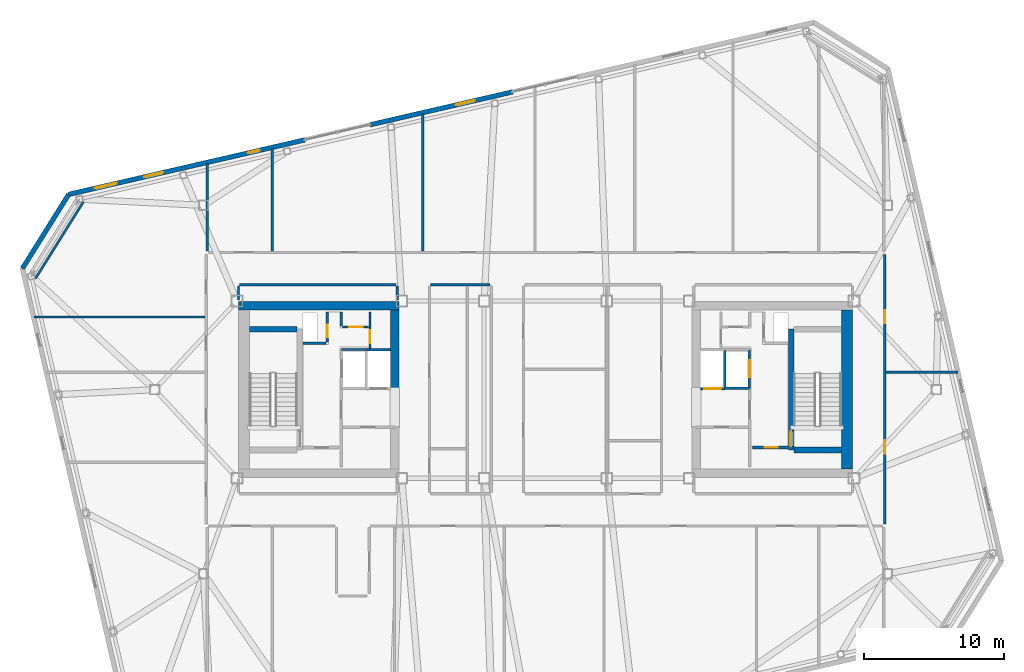
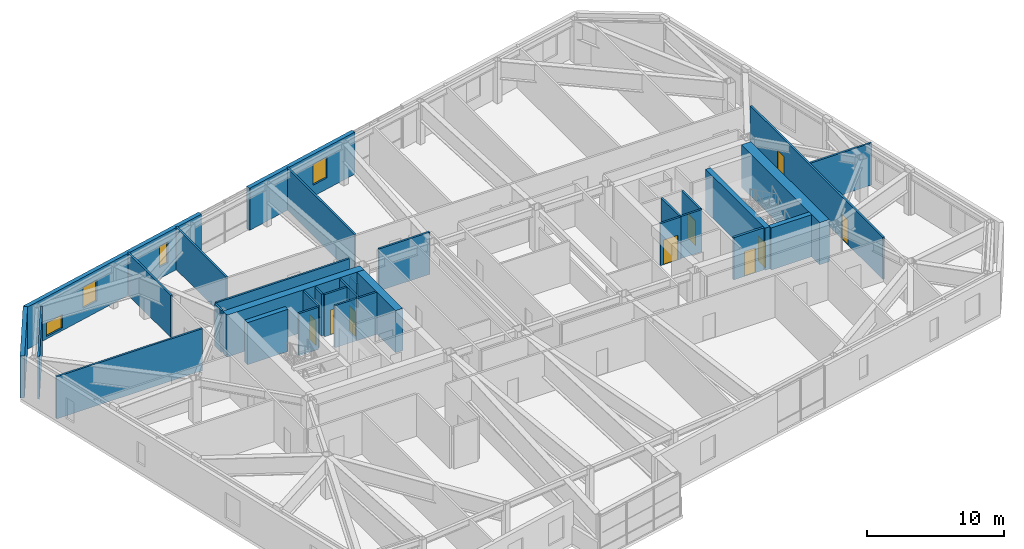
# One storey, part 18 of 23: 32 walls, 9 doors, 4 windows, 13 openings.
"""IFC4 building model written with IfcOpenShell, lengths in metres."""

import ifcopenshell
import ifcopenshell.guid

model = None  # the IFC model being written
_history = None  # IfcOwnerHistory: only IFC2X3 demands one
_inside = {}  # id of a spatial element -> (the spatial element, [elements in it])
_under = {}  # id of a project, library or spatial element -> (it, [spatial elements below it])
_declared = {}  # id of a project -> (the project, [libraries it declares])
_typed = {}  # id of a type object -> (the type object, [elements of that type])
_made_of = {}  # id of a material, layer set ... -> (it, [elements and type objects made of it])


def new_model(schema):
    """Start an empty IFC model of exactly this schema.

    Asked for "IFC4X3", IfcOpenShell would pick the latest addendum, in which some entities
    have other attributes; the version numbers below select the first issue.
    IFC2X3 requires an IfcOwnerHistory on every rooted entity: one is made here for all.
    """
    global model, _history
    if schema == "IFC4X3":
        model = ifcopenshell.file(schema_version=(4, 3, 0, 0))
    else:
        model = ifcopenshell.file(schema=schema)
    _inside.clear()
    _under.clear()
    _declared.clear()
    _typed.clear()
    _made_of.clear()
    _history = None
    if model.schema == "IFC2X3":
        org = make("IfcOrganization", Name="unknown")
        user = make(
            "IfcPersonAndOrganization",
            ThePerson=make("IfcPerson", FamilyName="unknown"),
            TheOrganization=org,
        )
        app = make(
            "IfcApplication",
            ApplicationDeveloper=org,
            Version="unknown",
            ApplicationFullName="unknown",
            ApplicationIdentifier="unknown",
        )
        _history = make(
            "IfcOwnerHistory",
            OwningUser=user,
            OwningApplication=app,
            ChangeAction="ADDED",
            CreationDate=0,
        )
    return model


def make(cls, **values):
    """One entity of the class cls with the attributes given. An attribute that is None is left unset."""
    return model.create_entity(
        cls, **{name: value for name, value in values.items() if value is not None}
    )


def rooted(cls, **values):
    """An entity with a GlobalId (a new one), such as an element, a storey or a relation."""
    return make(cls, GlobalId=ifcopenshell.guid.new(), OwnerHistory=_history, **values)


def si_unit(unit_type, name, prefix=None):
    """IfcSIUnit, for example si_unit("LENGTHUNIT", "METRE", prefix="MILLI")."""
    return make("IfcSIUnit", UnitType=unit_type, Prefix=prefix, Name=name)


def assignment(units):
    """IfcUnitAssignment: the units of a project."""
    return None if units is None else make("IfcUnitAssignment", Units=units)


def point(xyz):
    """IfcCartesianPoint."""
    return None if xyz is None else make("IfcCartesianPoint", Coordinates=xyz)


def direction(xyz):
    """IfcDirection."""
    return None if xyz is None else make("IfcDirection", DirectionRatios=xyz)


def frame(location, z_axis=None, x_axis=None):
    """IfcAxis2Placement3D, a coordinate frame: its origin and axes. An axis left out is left unset."""
    return make(
        "IfcAxis2Placement3D",
        Location=point(location),
        Axis=direction(z_axis),
        RefDirection=direction(x_axis),
    )


def frame_2d(location, x_axis=None):
    """IfcAxis2Placement2D, a coordinate frame in the plane: its origin and x axis."""
    return make(
        "IfcAxis2Placement2D", Location=point(location), RefDirection=direction(x_axis)
    )


def origin():
    """The frame at (0, 0, 0) with its axes left unset."""
    return frame((0.0, 0.0, 0.0))


def place(relative_to, where):
    """IfcLocalPlacement: puts the frame where relative to a parent placement (None: the world)."""
    return make(
        "IfcLocalPlacement", PlacementRelTo=relative_to, RelativePlacement=where
    )


def context(
    kind, dimensions, precision=None, world=None, true_north=None, identifier=None
):
    """IfcGeometricRepresentationContext, for example the 3D "Model" context."""
    return make(
        "IfcGeometricRepresentationContext",
        ContextIdentifier=identifier,
        ContextType=kind,
        CoordinateSpaceDimension=dimensions,
        Precision=precision,
        WorldCoordinateSystem=world,
        TrueNorth=true_north,
    )


def subcontext(parent, identifier, kind, view, scale=None):
    """IfcGeometricRepresentationSubContext, for example "Body" below "Model"."""
    return make(
        "IfcGeometricRepresentationSubContext",
        ContextIdentifier=identifier,
        ContextType=kind,
        ParentContext=parent,
        TargetScale=scale,
        TargetView=view,
    )


def project(units=None, contexts=None):
    """IfcProject with its units and contexts."""
    return rooted(
        "IfcProject",
        Name="project",
        RepresentationContexts=contexts,
        UnitsInContext=assignment(units),
    )


def spatial(cls, under=None, at=None, **own):
    """A site, building, storey or space (cls), placed at a placement, below another one or the project."""
    s = rooted(cls, ObjectPlacement=at, **own)
    if under is not None:
        _under.setdefault(under.id(), (under, []))[1].append(s)
    return s


def profile(cls, at=None, kind="AREA", **sizes):
    """A parametric profile (cls). Its sizes go by their IFC names, for example OverallWidth=200.0."""
    return make(cls, ProfileType=kind, Position=at, **sizes)


def rectangle(**sizes):
    """IfcRectangleProfileDef."""
    return profile("IfcRectangleProfileDef", **sizes)


def extrude(swept, where, along, depth):
    """IfcExtrudedAreaSolid: the profile swept, set in the frame where, extruded along a direction by depth."""
    return make(
        "IfcExtrudedAreaSolid",
        SweptArea=swept,
        Position=where,
        ExtrudedDirection=direction(along),
        Depth=depth,
    )


def shape(context_of_items, identifier, shape_type, items):
    """IfcShapeRepresentation: the items that make up one representation, for example the "Body"."""
    return make(
        "IfcShapeRepresentation",
        ContextOfItems=context_of_items,
        RepresentationIdentifier=identifier,
        RepresentationType=shape_type,
        Items=items,
    )


def material(Name=None, Category=None):
    """IfcMaterial."""
    return make("IfcMaterial", Name=Name, Category=Category)


def layer(
    of_material, thickness, ventilated=None, Name=None, Category=None, Priority=None
):
    """IfcMaterialLayer: one layer of a wall or slab, of a material (None: an air gap)."""
    return make(
        "IfcMaterialLayer",
        Material=of_material,
        LayerThickness=thickness,
        IsVentilated=ventilated,
        Name=Name,
        Category=Category,
        Priority=Priority,
    )


def layer_set(layers, Name=None):
    """IfcMaterialLayerSet."""
    return make("IfcMaterialLayerSet", MaterialLayers=layers, LayerSetName=Name)


def made_of(thing, what):
    """Note that an element or type object is made of a material, layer set ...; save() writes the relation."""
    if what is not None:
        _made_of.setdefault(what.id(), (what, []))[1].append(thing)
    return thing


def type_object(cls, material=None, **own):
    """A type object (cls), such as IfcWallType, which elements share."""
    return made_of(rooted(cls, **own), material)


def element(
    cls,
    number,
    at=None,
    inside=None,
    cuts=None,
    type_object=None,
    material=None,
    context=None,
    identifier="Body",
    shape_type=None,
    held_by="IfcProductDefinitionShape",
    body=None,
    shapes=None,
    **own,
):
    """One element of the class cls, such as IfcWall. Its Tag is "e" and its number.

    at: its placement. inside: the storey or other place that contains it. cuts: it is an
    opening in that element (IfcRelVoidsElement). A single representation is given by context,
    identifier, shape_type and body (its items); several are given by shapes. held_by: the class
    of the entity that holds the representations. save() writes the other relations.
    """
    e = rooted(cls, Tag="e%d" % number, ObjectPlacement=at, **own)
    if body is not None:
        shapes = [shape(context, identifier, shape_type, body)]
    if shapes is not None:
        e.Representation = make(held_by, Representations=shapes)
    if inside is not None:
        _inside.setdefault(inside.id(), (inside, []))[1].append(e)
    if cuts is not None:
        rooted(
            "IfcRelVoidsElement", RelatingBuildingElement=cuts, RelatedOpeningElement=e
        )
    if type_object is not None:
        _typed.setdefault(type_object.id(), (type_object, []))[1].append(e)
    return made_of(e, material)


def fill(opening, filler):
    """IfcRelFillsElement: the door or window that sits in an opening."""
    return rooted(
        "IfcRelFillsElement",
        RelatingOpeningElement=opening,
        RelatedBuildingElement=filler,
    )


def aggregate(whole, parts):
    """IfcRelAggregates: a whole, such as a stair, and the parts it consists of."""
    return rooted("IfcRelAggregates", RelatingObject=whole, RelatedObjects=parts)


def save(model, path):
    """Write the relations noted so far, then the file.

    IfcRelAggregates (storeys below a building ...), IfcRelContainedInSpatialStructure (elements
    in a storey), IfcRelDefinesByType, IfcRelAssociatesMaterial and IfcRelDeclares: one each for
    every whole, place, type object, material and project.
    """
    for whole, parts in _under.values():
        aggregate(whole, parts)
    for where, things in _inside.values():
        rooted(
            "IfcRelContainedInSpatialStructure",
            RelatedElements=things,
            RelatingStructure=where,
        )
    for kind, things in _typed.values():
        rooted("IfcRelDefinesByType", RelatedObjects=things, RelatingType=kind)
    for what, things in _made_of.values():
        rooted("IfcRelAssociatesMaterial", RelatedObjects=things, RelatingMaterial=what)
    for by, libraries in _declared.values():
        rooted("IfcRelDeclares", RelatingContext=by, RelatedDefinitions=libraries)
    model.write(path)


model = new_model("IFC4")

# Units and contexts
model_context = context("Model", 3, precision=1e-05, world=origin(), true_north=direction((0.0, 1.0)))
body_context = subcontext(model_context, "Body", "Model", "MODEL_VIEW")
ifc_project = project(units=[si_unit("LENGTHUNIT", "METRE"), si_unit("AREAUNIT", "SQUARE_METRE"), si_unit("VOLUMEUNIT", "CUBIC_METRE"), si_unit("PLANEANGLEUNIT", "RADIAN"), si_unit("MASSUNIT", "GRAM", prefix="KILO")], contexts=[model_context])

# Site, building, storey
site_placement = place(None, origin())
site = spatial("IfcSite", under=ifc_project, at=site_placement, CompositionType="ELEMENT")
building_placement = place(site_placement, origin())
building = spatial("IfcBuilding", under=site, at=building_placement, Name="Tavrogorsk Clinical Tower", CompositionType="ELEMENT")
storey_placement = place(building_placement, frame((0.0, 0.0, 277.0)))
storey = spatial("IfcBuildingStorey", under=building, at=storey_placement, Name="L64", CompositionType="ELEMENT", Elevation=277.0)

# Wall, opening, door
ifc_material_1 = material(Name="Concrete B60", Category="concrete")
ifc_layer_1 = layer(ifc_material_1, 0.199951171875)
ifc_layer_set_1 = layer_set([ifc_layer_1], Name="Concrete B60")
wall_type_1 = type_object("IfcWallType", Name="CoreFireWall_200", PredefinedType="SOLIDWALL", material=ifc_layer_set_1)
wall_1_placement = place(storey_placement, frame((14.824951171875, -4.139892578125, 0.0), z_axis=(0.0, 0.0, 1.0), x_axis=(1.0, 0.0, 0.0)))
wall_1 = element("IfcWall", 1, at=wall_1_placement, inside=storey, type_object=wall_type_1, Name="L64 Core East South Core Room Fire Wall", PredefinedType="SOLIDWALL", context=body_context, shape_type="SweptSolid", body=[
    extrude(rectangle(XDim=2.554931640625, YDim=0.199951171875, at=frame_2d((1.27734375, 0.0))), origin(), (0.0, 0.0, 1.0), 3.739990234375),
])
opening_1_placement = place(wall_1_placement, frame((0.8798828125, 0.0, 0.0)))
opening_1 = element("IfcOpeningElement", 2, at=opening_1_placement, cuts=wall_1, Name="Opening ID-02", PredefinedType="OPENING", context=body_context, shape_type="SweptSolid", body=[
    extrude(rectangle(XDim=0.949951171875, YDim=2.199951171875, at=frame_2d((0.47509765625, 1.10009765625))), frame((0.0, 0.10986328125, 0.0), z_axis=(0.0, -1.0, 0.0), x_axis=(1.0, 0.0, 0.0)), (0.0, 0.0, 1.0), 0.219970703125),
])
ifc_material_2 = material(Name="Laminated timber leaf on aluminium frame", Category="wood")
door_type_1 = type_object("IfcDoorType", Name="InteriorDoor_ID02_950", OperationType="NOTDEFINED", PredefinedType="DOOR", material=ifc_material_2)
door_1_placement = place(opening_1_placement, origin())
door_1 = element("IfcDoor", 3, at=door_1_placement, inside=storey, type_object=door_type_1, Name="L64 Core East South Core Room Door", OperationType="SINGLE_SWING_RIGHT", OverallHeight=2.199951171875, OverallWidth=0.949951171875, PredefinedType="DOOR", context=body_context, shape_type="SweptSolid", body=[
    extrude(rectangle(XDim=0.949951171875, YDim=2.199951171875, at=frame_2d((0.47509765625, 1.10009765625))), frame((0.0, 0.02490234375, 0.0), z_axis=(0.0, -1.0, 0.0), x_axis=(1.0, 0.0, 0.0)), (0.0, 0.0, 1.0), 0.050048828125),
])
fill(opening_1, door_1)

ifc_material_3 = material(Name="Lightweight concrete blockwork B15", Category="masonry")
ifc_layer_2 = layer(ifc_material_3, 0.159912109375)
ifc_layer_set_2 = layer_set([ifc_layer_2], Name="Lightweight concrete blockwork B15")
wall_type_2 = type_object("IfcWallType", Name="PartitionWall_160", PredefinedType="PARTITIONING", material=ifc_layer_set_2)
wall_2_placement = place(storey_placement, frame((-12.580078125, 2.9599609375, 0.0), z_axis=(0.0, 0.0, 1.0), x_axis=(0.0, 1.0, 0.0)))
wall_2 = element("IfcWall", 4, at=wall_2_placement, inside=storey, type_object=wall_type_2, Name="L64 Core West Linen Closet Wall", PredefinedType="PARTITIONING", context=body_context, shape_type="SweptSolid", body=[
    extrude(rectangle(XDim=2.60009765625, YDim=0.159912109375, at=frame_2d((1.300048828125, 0.0))), origin(), (0.0, 0.0, 1.0), 3.739990234375),
])
opening_2_placement = place(wall_2_placement, frame((0.35009765625, 0.0, 0.0)))
opening_2 = element("IfcOpeningElement", 5, at=opening_2_placement, cuts=wall_2, Name="Opening ID-02", PredefinedType="OPENING", context=body_context, shape_type="SweptSolid", body=[
    extrude(rectangle(XDim=0.949951171875, YDim=2.199951171875, at=frame_2d((0.47509765625, 1.10009765625))), frame((0.0, 0.08984375, 0.0), z_axis=(0.0, -1.0, 0.0), x_axis=(1.0, 0.0, 0.0)), (0.0, 0.0, 1.0), 0.179931640625),
])
door_2_placement = place(opening_2_placement, origin())
door_2 = element("IfcDoor", 6, at=door_2_placement, inside=storey, type_object=door_type_1, Name="L64 Core West Linen Closet Door", OperationType="SINGLE_SWING_RIGHT", OverallHeight=2.199951171875, OverallWidth=0.949951171875, PredefinedType="DOOR", context=body_context, shape_type="SweptSolid", body=[
    extrude(rectangle(XDim=0.949951171875, YDim=2.199951171875, at=frame_2d((0.47509765625, 1.10009765625))), frame((0.0, 0.02490234375, 0.0), z_axis=(0.0, -1.0, 0.0), x_axis=(1.0, 0.0, 0.0)), (0.0, 0.0, 1.0), 0.050048828125),
])
fill(opening_2, door_2)

wall_3_placement = place(storey_placement, frame((-14.554931640625, 4.47998046875, 0.0), z_axis=(0.0, 0.0, 1.0), x_axis=(1.0, 0.0, 0.0)))
wall_3 = element("IfcWall", 7, at=wall_3_placement, inside=storey, type_object=wall_type_2, Name="L64 Core West Housekeeping South Wall", PredefinedType="PARTITIONING", context=body_context, shape_type="SweptSolid", body=[
    extrude(rectangle(XDim=1.889892578125, YDim=0.159912109375, at=frame_2d((0.94482421875, 0.0))), origin(), (0.0, 0.0, 1.0), 3.739990234375),
])
opening_3_placement = place(wall_3_placement, frame((0.5, 0.0, 0.0)))
opening_3 = element("IfcOpeningElement", 8, at=opening_3_placement, cuts=wall_3, Name="Opening ID-02", PredefinedType="OPENING", context=body_context, shape_type="SweptSolid", body=[
    extrude(rectangle(XDim=0.949951171875, YDim=2.199951171875, at=frame_2d((0.47509765625, 1.10009765625))), frame((0.0, 0.08984375, 0.0), z_axis=(0.0, -1.0, 0.0), x_axis=(1.0, 0.0, 0.0)), (0.0, 0.0, 1.0), 0.179931640625),
])
door_3_placement = place(opening_3_placement, origin())
door_3 = element("IfcDoor", 9, at=door_3_placement, inside=storey, type_object=door_type_1, Name="L64 Core West Housekeeping Closet Door", OperationType="SINGLE_SWING_LEFT", OverallHeight=2.199951171875, OverallWidth=0.949951171875, PredefinedType="DOOR", context=body_context, shape_type="SweptSolid", body=[
    extrude(rectangle(XDim=0.949951171875, YDim=2.199951171875, at=frame_2d((0.47509765625, 1.10009765625))), frame((0.0, 0.02490234375, 0.0), z_axis=(0.0, -1.0, 0.0), x_axis=(1.0, 0.0, 0.0)), (0.0, 0.0, 1.0), 0.050048828125),
])
fill(opening_3, door_3)

# Walls
wall_4_placement = place(storey_placement, frame((-14.639892578125, 4.56494140625, 0.0), z_axis=(0.0, 0.0, 1.0), x_axis=(0.0, 1.0, 0.0)))
element("IfcWall", 10, at=wall_4_placement, inside=storey, type_object=wall_type_2, Name="L64 Core West Housekeeping East Wall", PredefinedType="PARTITIONING", context=body_context, shape_type="SweptSolid", body=[
    extrude(rectangle(XDim=0.9951171875, YDim=0.159912109375, at=frame_2d((0.49755859375, 0.0))), origin(), (0.0, 0.0, 1.0), 3.739990234375),
])
wall_5_placement = place(storey_placement, frame((-33.10009765625, 13.464599609375, 0.0), z_axis=(0.0, 0.0, 1.0), x_axis=(-0.529958457806, -0.848023604035, 0.0)))
element("IfcWall", 11, at=wall_5_placement, inside=storey, type_object=wall_type_2, Name="L64 Corner Exoskeleton Brace Furring Wall 3", PredefinedType="PARTITIONING", context=body_context, shape_type="SweptSolid", body=[
    extrude(rectangle(XDim=6.505126953125, YDim=0.159912109375, at=frame_2d((3.25244140625, 0.0))), origin(), (0.0, 0.0, 1.0), 3.739990234375),
])

# Wall, openings, doors
wall_6_placement = place(storey_placement, frame((24.31005859375, 9.6650390625, 0.0), z_axis=(0.0, 0.0, 1.0), x_axis=(0.0, -1.0, 0.0)))
wall_6 = element("IfcWall", 12, at=wall_6_placement, inside=storey, type_object=wall_type_2, Name="L64 Corridor Partition 03", PredefinedType="PARTITIONING", context=body_context, shape_type="SweptSolid", body=[
    extrude(rectangle(XDim=19.280029296875, YDim=0.159912109375, at=frame_2d((9.64013671875, 0.0))), origin(), (0.0, 0.0, 1.0), 3.739990234375),
])
opening_4_placement = place(wall_6_placement, frame((13.305908203125, 0.0, 0.0)))
opening_4 = element("IfcOpeningElement", 13, at=opening_4_placement, cuts=wall_6, Name="Opening ID-02", PredefinedType="OPENING", context=body_context, shape_type="SweptSolid", body=[
    extrude(rectangle(XDim=0.949951171875, YDim=2.199951171875, at=frame_2d((0.47509765625, 1.10009765625))), frame((0.0, 0.08984375, 0.0), z_axis=(0.0, -1.0, 0.0), x_axis=(1.0, 0.0, 0.0)), (0.0, 0.0, 1.0), 0.179931640625),
])
opening_5_placement = place(wall_6_placement, frame((3.968994140625, 0.0, 0.0)))
opening_5 = element("IfcOpeningElement", 14, at=opening_5_placement, cuts=wall_6, Name="Opening ID-02", PredefinedType="OPENING", context=body_context, shape_type="SweptSolid", body=[
    extrude(rectangle(XDim=0.949951171875, YDim=2.199951171875, at=frame_2d((0.47509765625, 1.10009765625))), frame((0.0, 0.08984375, 0.0), z_axis=(0.0, -1.0, 0.0), x_axis=(1.0, 0.0, 0.0)), (0.0, 0.0, 1.0), 0.179931640625),
])
door_4_placement = place(opening_4_placement, origin())
door_4 = element("IfcDoor", 15, at=door_4_placement, inside=storey, type_object=door_type_1, Name="L64 E Senior Clinician Suite 1 Door", OperationType="SINGLE_SWING_LEFT", OverallHeight=2.199951171875, OverallWidth=0.949951171875, PredefinedType="DOOR", context=body_context, shape_type="SweptSolid", body=[
    extrude(rectangle(XDim=0.949951171875, YDim=2.199951171875, at=frame_2d((0.47509765625, 1.10009765625))), frame((0.0, 0.02490234375, 0.0), z_axis=(0.0, -1.0, 0.0), x_axis=(1.0, 0.0, 0.0)), (0.0, 0.0, 1.0), 0.050048828125),
])
fill(opening_4, door_4)
door_5_placement = place(opening_5_placement, origin())
door_5 = element("IfcDoor", 16, at=door_5_placement, inside=storey, type_object=door_type_1, Name="L64 E Multidisciplinary Seminar Suite 2 Door", OperationType="SINGLE_SWING_RIGHT", OverallHeight=2.199951171875, OverallWidth=0.949951171875, PredefinedType="DOOR", context=body_context, shape_type="SweptSolid", body=[
    extrude(rectangle(XDim=0.949951171875, YDim=2.199951171875, at=frame_2d((0.47509765625, 1.10009765625))), frame((0.0, 0.02490234375, 0.0), z_axis=(0.0, -1.0, 0.0), x_axis=(1.0, 0.0, 0.0)), (0.0, 0.0, 1.0), 0.050048828125),
])
fill(opening_5, door_5)

# Walls
wall_7_placement = place(storey_placement, frame((-3.965087890625, 7.52001953125, 0.0), z_axis=(0.0, 0.0, 1.0), x_axis=(-1.0, 0.0, 0.0)))
element("IfcWall", 17, at=wall_7_placement, inside=storey, type_object=wall_type_2, Name="L64 Corridor Partition 20", PredefinedType="PARTITIONING", context=body_context, shape_type="SweptSolid", body=[
    extrude(rectangle(XDim=4.27001953125, YDim=0.159912109375, at=frame_2d((2.135009765625, 0.0))), origin(), (0.0, 0.0, 1.0), 3.739990234375),
])
wall_8_placement = place(storey_placement, frame((-10.6298828125, 6.419921875, 0.0), z_axis=(0.0, 0.0, 1.0), x_axis=(0.0, 1.0, 0.0)))
element("IfcWall", 18, at=wall_8_placement, inside=storey, type_object=wall_type_2, Name="L64 Corridor Partition 24", PredefinedType="PARTITIONING", context=body_context, shape_type="SweptSolid", body=[
    extrude(rectangle(XDim=1.01513671875, YDim=0.159912109375, at=frame_2d((0.507568359375, 0.0))), origin(), (0.0, 0.0, 1.0), 2.135009765625),
])
wall_9_placement = place(storey_placement, frame((-10.715087890625, 7.52001953125, 0.0), z_axis=(0.0, 0.0, 1.0), x_axis=(-1.0, 0.0, 0.0)))
element("IfcWall", 19, at=wall_9_placement, inside=storey, type_object=wall_type_2, Name="L64 Corridor Partition 25", PredefinedType="PARTITIONING", context=body_context, shape_type="SweptSolid", body=[
    extrude(rectangle(XDim=11.199951171875, YDim=0.159912109375, at=frame_2d((5.60009765625, 0.0))), origin(), (0.0, 0.0, 1.0), 3.739990234375),
])
wall_10_placement = place(storey_placement, frame((-22.0, 7.43505859375, 0.0), z_axis=(0.0, 0.0, 1.0), x_axis=(0.0, -1.0, 0.0)))
element("IfcWall", 20, at=wall_10_placement, inside=storey, type_object=wall_type_2, Name="L64 Corridor Partition 26", PredefinedType="PARTITIONING", context=body_context, shape_type="SweptSolid", body=[
    extrude(rectangle(XDim=1.01513671875, YDim=0.159912109375, at=frame_2d((0.507568359375, 0.0))), origin(), (0.0, 0.0, 1.0), 3.739990234375),
])
wall_11_placement = place(storey_placement, frame((-24.22998046875, 9.9150390625, 0.0), z_axis=(0.0, 0.0, 1.0), x_axis=(0.0, 1.0, 0.0)))
element("IfcWall", 21, at=wall_11_placement, inside=storey, type_object=wall_type_2, Name="L64 NW Wing Closure Partition", PredefinedType="PARTITIONING", context=body_context, shape_type="SweptSolid", body=[
    extrude(rectangle(XDim=6.2958984375, YDim=0.159912109375, at=frame_2d((3.14794921875, 0.0))), origin(), (0.0, 0.0, 1.0), 3.739990234375),
])
wall_12_placement = place(storey_placement, frame((-19.580078125, 9.9150390625, 0.0), z_axis=(0.0, 0.0, 1.0), x_axis=(0.0, 1.0, 0.0)))
element("IfcWall", 22, at=wall_12_placement, inside=storey, type_object=wall_type_2, Name="L64 North Room Partition 1", PredefinedType="PARTITIONING", context=body_context, shape_type="SweptSolid", body=[
    extrude(rectangle(XDim=7.369384765625, YDim=0.159912109375, at=frame_2d((3.6845703125, 0.0))), origin(), (0.0, 0.0, 1.0), 3.739990234375),
])
wall_13_placement = place(storey_placement, frame((-8.800048828125, 9.9150390625, 0.0), z_axis=(0.0, 0.0, 1.0), x_axis=(0.0, 1.0, 0.0)))
element("IfcWall", 23, at=wall_13_placement, inside=storey, type_object=wall_type_2, Name="L64 North Room Partition 2", PredefinedType="PARTITIONING", context=body_context, shape_type="SweptSolid", body=[
    extrude(rectangle(XDim=9.858154296875, YDim=0.159912109375, at=frame_2d((4.92919921875, 0.0))), origin(), (0.0, 0.0, 1.0), 3.739990234375),
])
wall_14_placement = place(storey_placement, frame((-36.662841796875, 5.199951171875, 0.0), z_axis=(0.0, 0.0, 1.0), x_axis=(1.0, 0.0, 0.0)))
element("IfcWall", 24, at=wall_14_placement, inside=storey, type_object=wall_type_2, Name="L64 W Wing Divider 3", PredefinedType="PARTITIONING", context=body_context, shape_type="SweptSolid", body=[
    extrude(rectangle(XDim=12.267822265625, YDim=0.159912109375, at=frame_2d((6.1337890625, 0.0))), origin(), (0.0, 0.0, 1.0), 3.739990234375),
])
wall_15_placement = place(storey_placement, frame((24.39501953125, 1.25, 0.0), z_axis=(0.0, 0.0, 1.0), x_axis=(1.0, 0.0, 0.0)))
element("IfcWall", 25, at=wall_15_placement, inside=storey, type_object=wall_type_2, Name="L64 E Wing Divider 1", PredefinedType="PARTITIONING", context=body_context, shape_type="SweptSolid", body=[
    extrude(rectangle(XDim=5.1474609375, YDim=0.159912109375, at=frame_2d((2.57373046875, 0.0))), origin(), (0.0, 0.0, 1.0), 3.739990234375),
])

# Wall, opening, window
ifc_material_4 = material(Name="Precast concrete B45 with limestone cladding", Category="masonry")
ifc_layer_3 = layer(ifc_material_4, 0.340087890625)
ifc_layer_set_3 = layer_set([ifc_layer_3], Name="Precast concrete B45 with limestone cladding")
wall_type_3 = type_object("IfcWallType", Name="PrecastLimestoneWall_340", PredefinedType="STANDARD", material=ifc_layer_set_3)
wall_16_placement = place(storey_placement, frame((-2.3681640625, 21.330078125, 0.0), z_axis=(0.0, 0.0, 1.0), x_axis=(-0.974367213107, -0.224963405961, 0.0)))
wall_16 = element("IfcWall", 26, at=wall_16_placement, inside=storey, type_object=wall_type_3, Name="L64 N Limestone Facade Wall 2", PredefinedType="STANDARD", context=body_context, shape_type="SweptSolid", body=[
    extrude(rectangle(XDim=10.46826171875, YDim=0.340087890625, at=frame_2d((5.234130859375, 0.0))), origin(), (0.0, 0.0, 1.0), 3.739990234375),
])
opening_6_placement = place(wall_16_placement, frame((2.7783203125, 0.0, 1.0)))
opening_6 = element("IfcOpeningElement", 27, at=opening_6_placement, cuts=wall_16, Name="Opening WN-17", PredefinedType="OPENING", context=body_context, shape_type="SweptSolid", body=[
    extrude(rectangle(XDim=1.39990234375, YDim=1.85009765625, at=frame_2d((0.699951171875, 0.925048828125))), frame((0.0, 0.179931640625, 0.0), z_axis=(0.0, -1.0, 0.0), x_axis=(1.0, 0.0, 0.0)), (0.0, 0.0, 1.0), 0.360107421875),
])
ifc_material_5 = material(Name="Thermally broken aluminium frame and triple IGU", Category="aluminium")
window_type_1 = type_object("IfcWindowType", Name="TelemetryWin_1400x1850", PartitioningType="SINGLE_PANEL", PredefinedType="WINDOW", material=ifc_material_5)
window_1_placement = place(opening_6_placement, origin())
window_1 = element("IfcWindow", 28, at=window_1_placement, inside=storey, type_object=window_type_1, Name="L64 N Chicago Window 06", OverallHeight=1.85009765625, OverallWidth=1.39990234375, PartitioningType="SINGLE_PANEL", PredefinedType="WINDOW", context=body_context, shape_type="SweptSolid", body=[
    extrude(rectangle(XDim=1.39990234375, YDim=1.85009765625, at=frame_2d((0.699951171875, 0.925048828125))), frame((0.0, 0.030029296875, 0.0), z_axis=(0.0, -1.0, 0.0), x_axis=(1.0, 0.0, 0.0)), (0.0, 0.0, 1.0), 0.06005859375),
])
fill(opening_6, window_1)

# Wall, openings, windows
wall_17_placement = place(storey_placement, frame((-17.2451171875, 17.895263671875, 0.0), z_axis=(0.0, 0.0, 1.0), x_axis=(-0.97437318493, -0.224937539085, 0.0)))
wall_17 = element("IfcWall", 29, at=wall_17_placement, inside=storey, type_object=wall_type_3, Name="L64 N Limestone Facade Wall 3", PredefinedType="STANDARD", context=body_context, shape_type="SweptSolid", body=[
    extrude(rectangle(XDim=17.365966796875, YDim=0.340087890625, at=frame_2d((8.68310546875, 0.0))), origin(), (0.0, 0.0, 1.0), 3.739990234375),
])
opening_7_placement = place(wall_17_placement, frame((13.82470703125, 0.0, 0.219970703125)))
opening_7 = element("IfcOpeningElement", 30, at=opening_7_placement, cuts=wall_17, Name="Opening WN-09", PredefinedType="OPENING", context=body_context, shape_type="SweptSolid", body=[
    extrude(rectangle(XDim=1.60009765625, YDim=1.199951171875, at=frame_2d((0.800048828125, 0.60009765625))), frame((0.0, 0.179931640625, 0.0), z_axis=(0.0, -1.0, 0.0), x_axis=(1.0, 0.0, 0.0)), (0.0, 0.0, 1.0), 0.360107421875),
])
opening_8_placement = place(wall_17_placement, frame((10.412841796875, 0.0, 1.0)))
opening_8 = element("IfcOpeningElement", 31, at=opening_8_placement, cuts=wall_17, Name="Opening WN-17", PredefinedType="OPENING", context=body_context, shape_type="SweptSolid", body=[
    extrude(rectangle(XDim=1.39990234375, YDim=1.85009765625, at=frame_2d((0.699951171875, 0.925048828125))), frame((0.0, 0.179931640625, 0.0), z_axis=(0.0, -1.0, 0.0), x_axis=(1.0, 0.0, 0.0)), (0.0, 0.0, 1.0), 0.360107421875),
])
opening_9_placement = place(wall_17_placement, frame((3.32861328125, 0.0, 1.0)))
opening_9 = element("IfcOpeningElement", 32, at=opening_9_placement, cuts=wall_17, Name="Opening WN-06", PredefinedType="OPENING", context=body_context, shape_type="SweptSolid", body=[
    extrude(rectangle(XDim=0.85009765625, YDim=1.85009765625, at=frame_2d((0.425048828125, 0.925048828125))), frame((0.0, 0.179931640625, 0.0), z_axis=(0.0, -1.0, 0.0), x_axis=(1.0, 0.0, 0.0)), (0.0, 0.0, 1.0), 0.360107421875),
])
ifc_material_6 = material(Name="Thermally broken aluminium frame and triple IGU", Category="aluminium")
window_type_2 = type_object("IfcWindowType", Name="LowHeadTransWin_1600x1200", PartitioningType="DOUBLE_PANEL_VERTICAL", PredefinedType="WINDOW", material=ifc_material_6)
window_2_placement = place(opening_7_placement, origin())
window_2 = element("IfcWindow", 33, at=window_2_placement, inside=storey, type_object=window_type_2, Name="L64 N Chicago Window 01", OverallHeight=1.199951171875, OverallWidth=1.60009765625, PartitioningType="SINGLE_PANEL", PredefinedType="WINDOW", context=body_context, shape_type="SweptSolid", body=[
    extrude(rectangle(XDim=1.60009765625, YDim=1.199951171875, at=frame_2d((0.800048828125, 0.60009765625))), frame((0.0, 0.030029296875, 0.0), z_axis=(0.0, -1.0, 0.0), x_axis=(1.0, 0.0, 0.0)), (0.0, 0.0, 1.0), 0.06005859375),
])
fill(opening_7, window_2)
ifc_material_7 = material(Name="Thermally broken aluminium frame and triple IGU", Category="aluminium")
window_type_3 = type_object("IfcWindowType", Name="MullionSubWin_850x1850", PartitioningType="SINGLE_PANEL", PredefinedType="WINDOW", material=ifc_material_7)
window_3_placement = place(opening_9_placement, origin())
window_3 = element("IfcWindow", 34, at=window_3_placement, inside=storey, type_object=window_type_3, Name="L64 N Mullion Split Window 04B", OverallHeight=1.85009765625, OverallWidth=0.85009765625, PartitioningType="SINGLE_PANEL", PredefinedType="WINDOW", context=body_context, shape_type="SweptSolid", body=[
    extrude(rectangle(XDim=0.85009765625, YDim=1.85009765625, at=frame_2d((0.425048828125, 0.925048828125))), frame((0.0, 0.030029296875, 0.0), z_axis=(0.0, -1.0, 0.0), x_axis=(1.0, 0.0, 0.0)), (0.0, 0.0, 1.0), 0.06005859375),
])
fill(opening_9, window_3)
window_4_placement = place(opening_8_placement, origin())
window_4 = element("IfcWindow", 35, at=window_4_placement, inside=storey, type_object=window_type_1, Name="L64 N Chicago Window 02", OverallHeight=1.85009765625, OverallWidth=1.39990234375, PartitioningType="SINGLE_PANEL", PredefinedType="WINDOW", context=body_context, shape_type="SweptSolid", body=[
    extrude(rectangle(XDim=1.39990234375, YDim=1.85009765625, at=frame_2d((0.699951171875, 0.925048828125))), frame((0.0, 0.030029296875, 0.0), z_axis=(0.0, -1.0, 0.0), x_axis=(1.0, 0.0, 0.0)), (0.0, 0.0, 1.0), 0.06005859375),
])
fill(opening_8, window_4)

# Walls
wall_18_placement = place(storey_placement, frame((-34.165771484375, 13.989013671875, 0.0), z_axis=(0.0, 0.0, 1.0), x_axis=(-0.529935887993, -0.848037708252, 0.0)))
element("IfcWall", 36, at=wall_18_placement, inside=storey, type_object=wall_type_3, Name="L64 Chamfered Corner Wall 3", PredefinedType="STANDARD", context=body_context, shape_type="SweptSolid", body=[
    extrude(rectangle(XDim=6.26513671875, YDim=0.340087890625, at=frame_2d((3.132568359375, 0.0))), origin(), (0.0, 0.0, 1.0), 3.739990234375),
])
ifc_material_8 = material(Name="Lightweight concrete blockwork B25", Category="masonry")
ifc_layer_4 = layer(ifc_material_8, 0.159912109375)
ifc_layer_set_4 = layer_set([ifc_layer_4], Name="Lightweight concrete blockwork B25")
wall_type_4 = type_object("IfcWallType", Name="ShaftWall_160", PredefinedType="PARTITIONING", material=ifc_layer_set_4)
wall_19_placement = place(storey_placement, frame((-14.60009765625, 2.8798828125, 0.0), z_axis=(0.0, 0.0, 1.0), x_axis=(1.0, 0.0, 0.0)))
element("IfcWall", 37, at=wall_19_placement, inside=storey, type_object=wall_type_4, Name="L64 FFL-W Shaft North Wall", PredefinedType="PARTITIONING", context=body_context, shape_type="SweptSolid", body=[
    extrude(rectangle(XDim=1.760009765625, YDim=0.159912109375, at=frame_2d((0.8798828125, 0.0))), origin(), (0.0, 0.0, 1.0), 3.739990234375),
])
wall_20_placement = place(storey_placement, frame((-12.820068359375, 2.860107421875, 0.0), z_axis=(0.0, 0.0, 1.0), x_axis=(1.0, 0.0, 0.0)))
element("IfcWall", 38, at=wall_20_placement, inside=storey, type_object=wall_type_4, Name="L64 LP-H1 High-Zone Lift Rear Wall", PredefinedType="PARTITIONING", context=body_context, shape_type="SweptSolid", body=[
    extrude(rectangle(XDim=1.719970703125, YDim=0.159912109375, at=frame_2d((0.85986328125, 0.0))), origin(), (0.0, 0.0, 1.0), 3.739990234375),
])

# Wall, opening, door
wall_21_placement = place(storey_placement, frame((14.60009765625, 0.1201171875, 0.0), z_axis=(0.0, 0.0, 1.0), x_axis=(0.0, 1.0, 0.0)))
wall_21 = element("IfcWall", 39, at=wall_21_placement, inside=storey, type_object=wall_type_4, Name="L64 FFL-E Firefighting Lift Front Wall", PredefinedType="PARTITIONING", context=body_context, shape_type="SweptSolid", body=[
    extrude(rectangle(XDim=2.739990234375, YDim=0.159912109375, at=frame_2d((1.3701171875, 0.0))), origin(), (0.0, 0.0, 1.0), 3.739990234375),
])
opening_10_placement = place(wall_21_placement, frame((0.77001953125, 0.0, 0.0)))
opening_10 = element("IfcOpeningElement", 40, at=opening_10_placement, cuts=wall_21, Name="Opening LD", PredefinedType="OPENING", context=body_context, shape_type="SweptSolid", body=[
    extrude(rectangle(XDim=1.199951171875, YDim=2.199951171875, at=frame_2d((0.60009765625, 1.10009765625))), frame((0.0, 0.08984375, 0.0), z_axis=(0.0, -1.0, 0.0), x_axis=(1.0, 0.0, 0.0)), (0.0, 0.0, 1.0), 0.179931640625),
])
ifc_material_9 = material(Name="Brushed stainless steel AISI 304 sliding doors", Category="steel")
door_type_2 = type_object("IfcDoorType", Name="LiftLandingDoor_LD_1200", OperationType="SLIDING_TO_LEFT", PredefinedType="DOOR", material=ifc_material_9)
door_6_placement = place(opening_10_placement, origin())
door_6 = element("IfcDoor", 41, at=door_6_placement, inside=storey, type_object=door_type_2, Name="L64 FFL-E Sliding Lift Landing Door", OperationType="SLIDING_TO_LEFT", OverallHeight=2.199951171875, OverallWidth=1.199951171875, PredefinedType="DOOR", context=body_context, shape_type="SweptSolid", body=[
    extrude(rectangle(XDim=1.199951171875, YDim=2.199951171875, at=frame_2d((0.60009765625, 1.10009765625))), frame((0.0, 0.02490234375, 0.0), z_axis=(0.0, -1.0, 0.0), x_axis=(1.0, 0.0, 0.0)), (0.0, 0.0, 1.0), 0.050048828125),
])
fill(opening_10, door_6)

# Walls
wall_22_placement = place(storey_placement, frame((12.840087890625, 0.10009765625, 0.0), z_axis=(0.0, 0.0, 1.0), x_axis=(1.0, 0.0, 0.0)))
element("IfcWall", 42, at=wall_22_placement, inside=storey, type_object=wall_type_4, Name="L64 FFL-E Shaft South Wall", PredefinedType="PARTITIONING", context=body_context, shape_type="SweptSolid", body=[
    extrude(rectangle(XDim=1.760009765625, YDim=0.159912109375, at=frame_2d((0.8798828125, 0.0))), origin(), (0.0, 0.0, 1.0), 3.739990234375),
])
wall_23_placement = place(storey_placement, frame((12.840087890625, 0.179931640625, 0.0), z_axis=(0.0, 0.0, 1.0), x_axis=(0.0, 1.0, 0.0)))
element("IfcWall", 43, at=wall_23_placement, inside=storey, type_object=wall_type_4, Name="L64 FFL-E Shaft Back Wall", PredefinedType="PARTITIONING", context=body_context, shape_type="SweptSolid", body=[
    extrude(rectangle(XDim=2.6201171875, YDim=0.159912109375, at=frame_2d((1.31005859375, 0.0))), origin(), (0.0, 0.0, 1.0), 3.739990234375),
])

# Wall, opening, door
wall_24_placement = place(storey_placement, frame((11.10009765625, 0.06005859375, 0.0), z_axis=(0.0, 0.0, 1.0), x_axis=(1.0, 0.0, 0.0)))
wall_24 = element("IfcWall", 44, at=wall_24_placement, inside=storey, type_object=wall_type_4, Name="L64 LP-H2 High-Zone Lift Portal Wall", PredefinedType="PARTITIONING", context=body_context, shape_type="SweptSolid", body=[
    extrude(rectangle(XDim=1.719970703125, YDim=0.159912109375, at=frame_2d((0.85986328125, 0.0))), origin(), (0.0, 0.0, 1.0), 3.739990234375),
])
opening_11_placement = place(wall_24_placement, frame((0.260009765625, 0.0, 0.0)))
opening_11 = element("IfcOpeningElement", 45, at=opening_11_placement, cuts=wall_24, Name="Opening LD", PredefinedType="OPENING", context=body_context, shape_type="SweptSolid", body=[
    extrude(rectangle(XDim=1.199951171875, YDim=2.199951171875, at=frame_2d((0.60009765625, 1.10009765625))), frame((0.0, 0.08984375, 0.0), z_axis=(0.0, -1.0, 0.0), x_axis=(1.0, 0.0, 0.0)), (0.0, 0.0, 1.0), 0.179931640625),
])
door_7_placement = place(opening_11_placement, origin())
door_7 = element("IfcDoor", 46, at=door_7_placement, inside=storey, type_object=door_type_2, Name="L64 LP-H2 Sliding Lift Landing Door", OperationType="SLIDING_TO_LEFT", OverallHeight=2.199951171875, OverallWidth=1.199951171875, PredefinedType="DOOR", context=body_context, shape_type="SweptSolid", body=[
    extrude(rectangle(XDim=1.199951171875, YDim=2.199951171875, at=frame_2d((0.60009765625, 1.10009765625))), frame((0.0, 0.02490234375, 0.0), z_axis=(0.0, -1.0, 0.0), x_axis=(1.0, 0.0, 0.0)), (0.0, 0.0, 1.0), 0.050048828125),
])
fill(opening_11, door_7)

wall_25_placement = place(storey_placement, frame((-15.639892578125, 3.405029296875, 0.0), z_axis=(0.0, 0.0, 1.0), x_axis=(0.0, 1.0, 0.0)))
wall_25 = element("IfcWall", 47, at=wall_25_placement, inside=storey, type_object=wall_type_4, Name="L64 Core West Riser West Wall", PredefinedType="PARTITIONING", context=body_context, shape_type="SweptSolid", body=[
    extrude(rectangle(XDim=2.155029296875, YDim=0.159912109375, at=frame_2d((1.07763671875, 0.0))), origin(), (0.0, 0.0, 1.0), 3.739990234375),
])
opening_12_placement = place(wall_25_placement, frame((0.35009765625, 0.0, 0.0)))
opening_12 = element("IfcOpeningElement", 48, at=opening_12_placement, cuts=wall_25, Name="Opening FD-02", PredefinedType="OPENING", context=body_context, shape_type="SweptSolid", body=[
    extrude(rectangle(XDim=0.89990234375, YDim=2.199951171875, at=frame_2d((0.449951171875, 1.10009765625))), frame((0.0, 0.08984375, 0.0), z_axis=(0.0, -1.0, 0.0), x_axis=(1.0, 0.0, 0.0)), (0.0, 0.0, 1.0), 0.179931640625),
])
ifc_material_10 = material(Name="Galvanised steel fire-rated door assembly", Category="steel")
door_type_3 = type_object("IfcDoorType", Name="FireDoor_FD02_900", OperationType="NOTDEFINED", PredefinedType="DOOR", material=ifc_material_10)
door_8_placement = place(opening_12_placement, origin())
door_8 = element("IfcDoor", 49, at=door_8_placement, inside=storey, type_object=door_type_3, Name="L64 Core West Electrical Riser Access Door", OperationType="SINGLE_SWING_LEFT", OverallHeight=2.199951171875, OverallWidth=0.89990234375, PredefinedType="DOOR", context=body_context, shape_type="SweptSolid", body=[
    extrude(rectangle(XDim=0.89990234375, YDim=2.199951171875, at=frame_2d((0.449951171875, 1.10009765625))), frame((0.0, 0.02490234375, 0.0), z_axis=(0.0, -1.0, 0.0), x_axis=(1.0, 0.0, 0.0)), (0.0, 0.0, 1.0), 0.050048828125),
])
fill(opening_12, door_8)

# Walls
wall_26_placement = place(storey_placement, frame((-17.3798828125, 3.320068359375, 0.0), z_axis=(0.0, 0.0, 1.0), x_axis=(1.0, 0.0, 0.0)))
element("IfcWall", 50, at=wall_26_placement, inside=storey, type_object=wall_type_4, Name="L64 Core West Riser South Wall", PredefinedType="PARTITIONING", context=body_context, shape_type="SweptSolid", body=[
    extrude(rectangle(XDim=1.65478515625, YDim=0.159912109375, at=frame_2d((0.827392578125, 0.0))), origin(), (0.0, 0.0, 1.0), 3.739990234375),
])
ifc_material_11 = material(Name="Concrete B80", Category="concrete")
ifc_layer_5 = layer(ifc_material_11, 0.39990234375)
ifc_layer_set_5 = layer_set([ifc_layer_5], Name="Concrete B80")
wall_type_5 = type_object("IfcWallType", Name="ShearWall_400", PredefinedType="SHEAR", material=ifc_layer_set_5)
wall_27_placement = place(storey_placement, frame((-21.199951171875, 4.324951171875, 0.0), z_axis=(0.0, 0.0, 1.0), x_axis=(1.0, 0.0, 0.0)))
element("IfcWall", 51, at=wall_27_placement, inside=storey, type_object=wall_type_5, Name="L64 Core West Stair Shaft North Shear Wall", PredefinedType="SHEAR", context=body_context, shape_type="SweptSolid", body=[
    extrude(rectangle(XDim=3.39990234375, YDim=0.39990234375, at=frame_2d((1.699951171875, 0.0))), origin(), (0.0, 0.0, 1.0), 3.739990234375),
])

# Wall, opening, door
wall_28_placement = place(storey_placement, frame((17.60009765625, -4.324951171875, 0.0), z_axis=(0.0, 0.0, 1.0), x_axis=(0.0, 1.0, 0.0)))
wall_28 = element("IfcWall", 52, at=wall_28_placement, inside=storey, type_object=wall_type_5, Name="L64 Core East Stair Shaft Inner Shear Wall", PredefinedType="SHEAR", context=body_context, shape_type="SweptSolid", body=[
    extrude(rectangle(XDim=8.64990234375, YDim=0.39990234375, at=frame_2d((4.324951171875, 0.0))), origin(), (0.0, 0.0, 1.0), 3.739990234375),
])
opening_13_placement = place(wall_28_placement, frame((0.25, 0.0, 0.0)))
opening_13 = element("IfcOpeningElement", 53, at=opening_13_placement, cuts=wall_28, Name="Opening SD-01", PredefinedType="OPENING", context=body_context, shape_type="SweptSolid", body=[
    extrude(rectangle(XDim=1.10009765625, YDim=2.199951171875, at=frame_2d((0.550048828125, 1.10009765625))), frame((0.0, 0.2099609375, 0.0), z_axis=(0.0, -1.0, 0.0), x_axis=(1.0, 0.0, 0.0)), (0.0, 0.0, 1.0), 0.419921875),
])
ifc_material_12 = material(Name="Galvanised steel smoke-tight fire door assembly", Category="steel")
door_type_4 = type_object("IfcDoorType", Name="StairFireDoor_SD01_1100", OperationType="NOTDEFINED", PredefinedType="DOOR", material=ifc_material_12)
door_9_placement = place(opening_13_placement, origin())
door_9 = element("IfcDoor", 54, at=door_9_placement, inside=storey, type_object=door_type_4, Name="L64 ST-E Exit Stair Door", OperationType="SINGLE_SWING_RIGHT", OverallHeight=2.199951171875, OverallWidth=1.10009765625, PredefinedType="DOOR", context=body_context, shape_type="SweptSolid", body=[
    extrude(rectangle(XDim=1.10009765625, YDim=2.199951171875, at=frame_2d((0.550048828125, 1.10009765625))), frame((0.0, 0.02490234375, 0.0), z_axis=(0.0, -1.0, 0.0), x_axis=(1.0, 0.0, 0.0)), (0.0, 0.0, 1.0), 0.050048828125),
])
fill(opening_13, door_9)

# Walls
wall_29_placement = place(storey_placement, frame((17.800048828125, -4.324951171875, 0.0), z_axis=(0.0, 0.0, 1.0), x_axis=(1.0, 0.0, 0.0)))
element("IfcWall", 55, at=wall_29_placement, inside=storey, type_object=wall_type_5, Name="L64 Core East Stair Shaft South Shear Wall", PredefinedType="SHEAR", context=body_context, shape_type="SweptSolid", body=[
    extrude(rectangle(XDim=3.39990234375, YDim=0.39990234375, at=frame_2d((1.699951171875, 0.0))), origin(), (0.0, 0.0, 1.0), 3.739990234375),
])
ifc_material_13 = material(Name="Concrete B80", Category="concrete")
ifc_layer_6 = layer(ifc_material_13, 0.60009765625)
ifc_layer_set_6 = layer_set([ifc_layer_6], Name="Concrete B80")
wall_type_6 = type_object("IfcWallType", Name="ShearWall_600", PredefinedType="SHEAR", material=ifc_layer_set_6)
wall_30_placement = place(storey_placement, frame((-22.0, 6.0, 0.0), z_axis=(0.0, 0.0, 1.0), x_axis=(1.0, 0.0, 0.0)))
element("IfcWall", 56, at=wall_30_placement, inside=storey, type_object=wall_type_6, Name="L64 Core West North Shear Wall", PredefinedType="SHEAR", context=body_context, shape_type="SweptSolid", body=[
    extrude(rectangle(XDim=11.5, YDim=0.60009765625, at=frame_2d((5.75, 0.0))), origin(), (0.0, 0.0, 1.0), 3.739990234375),
])
wall_31_placement = place(storey_placement, frame((-10.800048828125, 0.050048828125, 0.0), z_axis=(0.0, 0.0, 1.0), x_axis=(0.0, 1.0, 0.0)))
element("IfcWall", 57, at=wall_31_placement, inside=storey, type_object=wall_type_6, Name="L64 Core West Inner North Pier", PredefinedType="SHEAR", context=body_context, shape_type="SweptSolid", body=[
    extrude(rectangle(XDim=5.64990234375, YDim=0.60009765625, at=frame_2d((2.824951171875, 0.0))), origin(), (0.0, 0.0, 1.0), 3.739990234375),
])
ifc_material_14 = material(Name="Concrete B80", Category="concrete")
ifc_layer_7 = layer(ifc_material_14, 0.800048828125)
ifc_layer_set_7 = layer_set([ifc_layer_7], Name="Concrete B80")
wall_type_7 = type_object("IfcWallType", Name="ShearWall_800", PredefinedType="SHEAR", material=ifc_layer_set_7)
wall_32_placement = place(storey_placement, frame((21.60009765625, -5.699951171875, 0.0), z_axis=(0.0, 0.0, 1.0), x_axis=(0.0, 1.0, 0.0)))
element("IfcWall", 58, at=wall_32_placement, inside=storey, type_object=wall_type_7, Name="L64 Core East End Shear Wall", PredefinedType="SHEAR", context=body_context, shape_type="SweptSolid", body=[
    extrude(rectangle(XDim=11.39990234375, YDim=0.800048828125, at=frame_2d((5.699951171875, 0.0))), origin(), (0.0, 0.0, 1.0), 3.739990234375),
])

save(model, "model.ifc")
